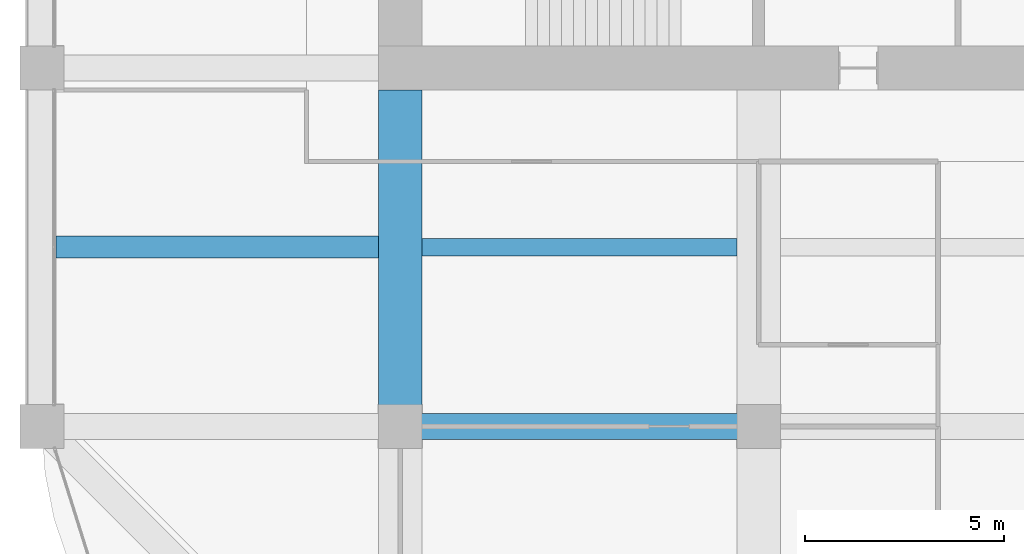
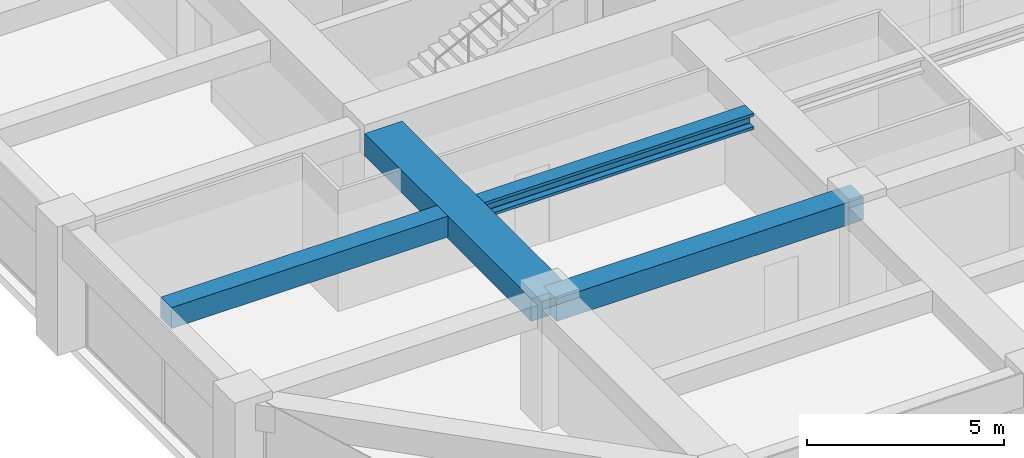
# One storey, part 8 of 45: 4 beams.
"""IFC4 building model written with IfcOpenShell, lengths in metres."""

from ifc_helpers import new_model, si_unit, direction, frame, origin, origin_2d, place, context, subcontext, project, spatial, rectangle, i_section, extrude, material, material_profile, profile_set, type_object, element, save


model = new_model("IFC4")

# Units and contexts
model_context = context("Model", 3, precision=1e-05, world=origin(), true_north=direction((0.0, 1.0)))
body_context = subcontext(model_context, "Body", "Model", "MODEL_VIEW")
ifc_project = project(units=[si_unit("LENGTHUNIT", "METRE"), si_unit("AREAUNIT", "SQUARE_METRE"), si_unit("VOLUMEUNIT", "CUBIC_METRE"), si_unit("PLANEANGLEUNIT", "RADIAN"), si_unit("MASSUNIT", "GRAM", prefix="KILO")], contexts=[model_context])

# Site, building, storey
site_placement = place(None, origin())
site = spatial("IfcSite", under=ifc_project, at=site_placement, CompositionType="ELEMENT")
building_placement = place(site_placement, origin())
building = spatial("IfcBuilding", under=site, at=building_placement, Name="Zorevar Civic Tower", CompositionType="ELEMENT")
storey_placement = place(building_placement, frame((0.0, 0.0, 279.39990234375)))
storey = spatial("IfcBuildingStorey", under=building, at=storey_placement, Name="L68", CompositionType="ELEMENT", Elevation=279.39990234375)

# Beams
ifc_material_1 = material(Name="Concrete C50/60", Category="concrete")
ifc_material_profile_1 = material_profile(ifc_material_1, rectangle(XDim=1.10009765625, YDim=0.699951171875, at=origin_2d()), Name="RC 1100x700")
ifc_profile_set_1 = profile_set([ifc_material_profile_1], Name="Concrete C50/60")
beam_type_1 = type_object("IfcBeamType", Name="Beam RC 1100x700", PredefinedType="BEAM", material=ifc_profile_set_1)
beam_1_placement = place(storey_placement, frame((18.0, 9.0, 3.400146484375), z_axis=(0.0, 1.0, 0.0), x_axis=(-1.0, 0.0, 0.0)))
element("IfcBeam", 1, at=beam_1_placement, inside=storey, type_object=beam_type_1, Name="Girder L69", PredefinedType="BEAM", context=body_context, shape_type="SweptSolid", body=[
    extrude(rectangle(XDim=1.10009765625, YDim=0.699951171875, at=origin_2d()), origin(), (0.0, 0.0, 1.0), 8.449951171875),
])
ifc_material_2 = material(Name="Concrete C50/60", Category="concrete")
ifc_material_profile_2 = material_profile(ifc_material_2, rectangle(XDim=0.550048828125, YDim=0.64990234375, at=origin_2d()), Name="RC 550x650")
ifc_profile_set_2 = profile_set([ifc_material_profile_2], Name="Concrete C50/60")
beam_type_2 = type_object("IfcBeamType", Name="Beam RC 550x650", PredefinedType="BEAM", material=ifc_profile_set_2)
beam_2_placement = place(storey_placement, frame((9.35009765625, 13.5, 3.425048828125), z_axis=(1.0, 0.0, 0.0), x_axis=(0.0, 1.0, 0.0)))
element("IfcBeam", 2, at=beam_2_placement, inside=storey, type_object=beam_type_2, Name="Secondary beam L69", PredefinedType="BEAM", context=body_context, shape_type="SweptSolid", body=[
    extrude(rectangle(XDim=0.550048828125, YDim=0.64990234375, at=origin_2d()), origin(), (0.0, 0.0, 1.0), 8.099853515625),
])
ifc_material_3 = material(Name="Concrete C50/60", Category="concrete")
ifc_material_profile_3 = material_profile(ifc_material_3, rectangle(XDim=0.64990234375, YDim=0.699951171875, at=origin_2d()), Name="RC 650x700")
ifc_profile_set_3 = profile_set([ifc_material_profile_3], Name="Concrete C50/60")
beam_type_3 = type_object("IfcBeamType", Name="Beam RC 650x700", PredefinedType="BEAM", material=ifc_profile_set_3)
beam_3_placement = place(storey_placement, frame((18.0, 9.0, 3.400146484375), z_axis=(1.0, 0.0, 0.0), x_axis=(0.0, 1.0, 0.0)))
element("IfcBeam", 3, at=beam_3_placement, inside=storey, type_object=beam_type_3, Name="Girder L69", PredefinedType="BEAM", context=body_context, shape_type="SweptSolid", body=[
    extrude(rectangle(XDim=0.64990234375, YDim=0.699951171875, at=origin_2d()), origin(), (0.0, 0.0, 1.0), 9.0),
])
ifc_material_4 = material(Name="Steel S460M (HISTAR 460)", Category="steel")
ifc_material_profile_4 = material_profile(ifc_material_4, i_section(OverallWidth=0.431884765625, OverallDepth=0.498046875, WebThickness=0.0556640625, FlangeThickness=0.0888671875, FilletRadius=0.014892578125, at=origin_2d()), Name="HD 400x744")
ifc_profile_set_4 = profile_set([ifc_material_profile_4], Name="Steel S460M (HISTAR 460)")
beam_type_4 = type_object("IfcBeamType", Name="Core bay beam HD 400x744", PredefinedType="BEAM", material=ifc_profile_set_4)
beam_4_placement = place(storey_placement, frame((18.550048828125, 13.5, 3.5009765625), z_axis=(1.0, 0.0, 0.0), x_axis=(0.0, 1.0, 0.0)))
element("IfcBeam", 4, at=beam_4_placement, inside=storey, type_object=beam_type_4, Name="Secondary beam L69", PredefinedType="BEAM", context=body_context, shape_type="SweptSolid", body=[
    extrude(i_section(OverallWidth=0.431884765625, OverallDepth=0.498046875, WebThickness=0.0556640625, FlangeThickness=0.0888671875, FilletRadius=0.014892578125, at=origin_2d()), origin(), (0.0, 0.0, 1.0), 7.89990234375),
])

save(model, "model.ifc")
